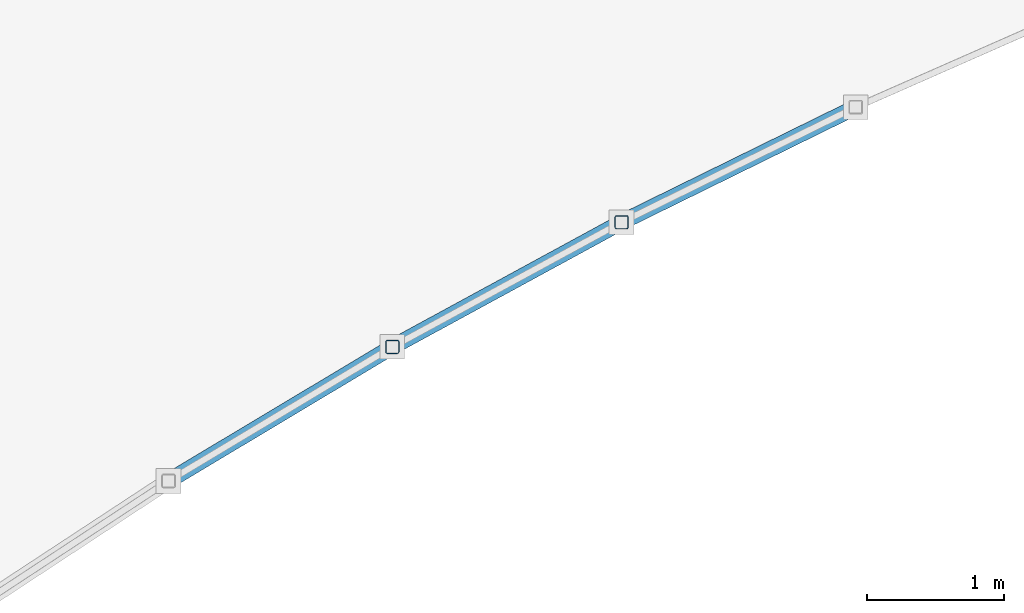
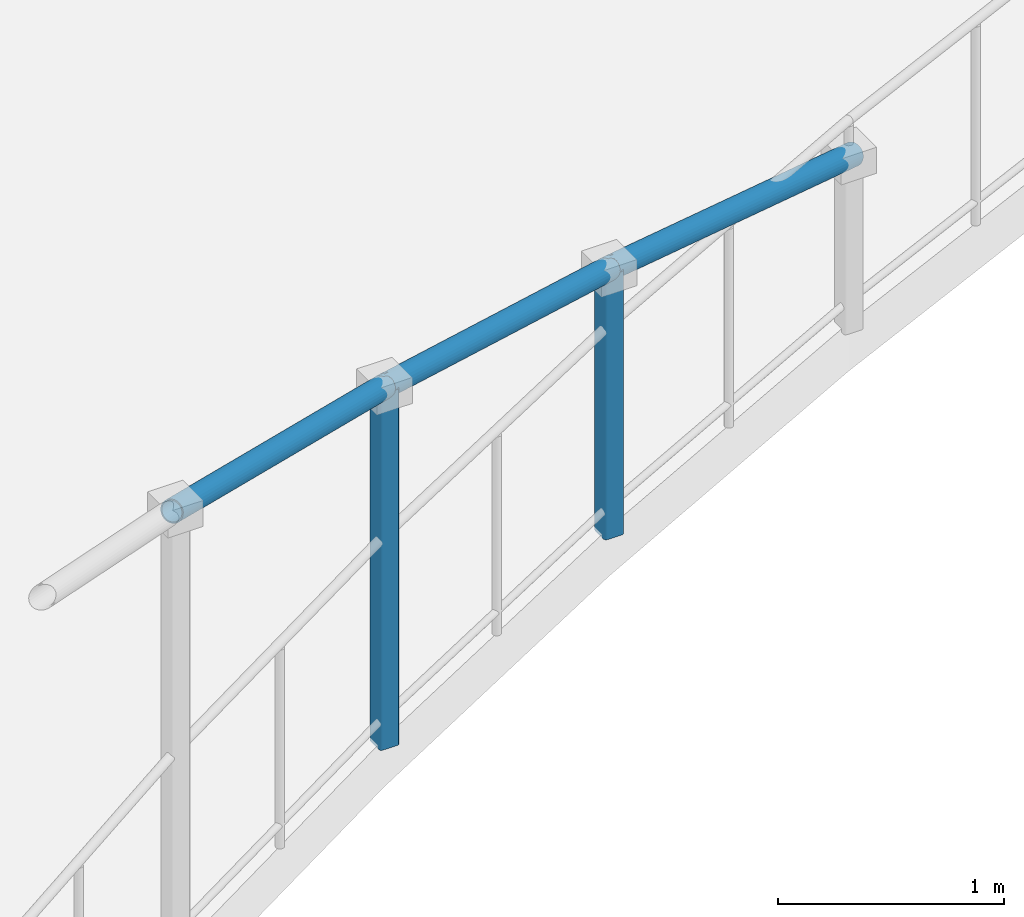
# One storey, part 14 of 58: 5 members.
"""IFC4 building model written with IfcOpenShell, lengths in metres."""

from ifc_helpers import new_model, si_unit, direction, frame, origin, origin_2d, place, context, subcontext, project, spatial, hollow_rectangle, hollow_circle, extrude, material, material_profile, profile_set, type_object, element, save


model = new_model("IFC4")

# Units and contexts
model_context = context("Model", 3, precision=1e-05, world=origin(), true_north=direction((0.0, 1.0)))
body_context = subcontext(model_context, "Body", "Model", "MODEL_VIEW")
ifc_project = project(units=[si_unit("LENGTHUNIT", "METRE"), si_unit("AREAUNIT", "SQUARE_METRE"), si_unit("VOLUMEUNIT", "CUBIC_METRE"), si_unit("PLANEANGLEUNIT", "RADIAN"), si_unit("MASSUNIT", "GRAM", prefix="KILO"), si_unit("POWERUNIT", "WATT"), si_unit("THERMODYNAMICTEMPERATUREUNIT", "KELVIN")], contexts=[model_context])

# Site, building, storey
site_placement = place(None, origin())
site = spatial("IfcSite", under=ifc_project, at=site_placement, CompositionType="ELEMENT")
building_placement = place(site_placement, origin())
building = spatial("IfcBuilding", under=site, at=building_placement, Name="Ruvembo Vaulted Housing Court", CompositionType="ELEMENT")
storey_placement = place(building_placement, frame((0.0, 0.0, 20.5)))
storey = spatial("IfcBuildingStorey", under=building, at=storey_placement, Name="L06", CompositionType="ELEMENT", Elevation=20.5)

# Members
ifc_material = material(Name="Steel S355J2", Category="steel")
ifc_material_profile_1 = material_profile(ifc_material, hollow_rectangle(XDim=0.10009765625, YDim=0.10009765625, WallThickness=0.00634765625, InnerFilletRadius=0.00634765625, OuterFilletRadius=0.0126953125, at=origin_2d()), Name="SHS 100x100x6.3")
ifc_profile_set_1 = profile_set([ifc_material_profile_1], Name="Steel S355J2")
member_type_1 = type_object("IfcMemberType", Name="MEM-FRM-SHS100", PredefinedType="STRUT", material=ifc_profile_set_1)
member_1_placement = place(storey_placement, frame((94.287353515625, 89.771484375, -0.02001953125), z_axis=(0.0, 0.0, 1.0), x_axis=(1.0, 0.0, 0.0)))
element("IfcMember", 1, at=member_1_placement, inside=storey, type_object=member_type_1, Name="Scoop SC3 L06 Upswept Post 2A", PredefinedType="STRUT", context=body_context, shape_type="SweptSolid", body=[
    extrude(hollow_rectangle(XDim=0.10009765625, YDim=0.10009765625, WallThickness=0.00634765625, InnerFilletRadius=0.00634765625, OuterFilletRadius=0.0126953125, at=origin_2d()), origin(), (0.0, 0.0, 1.0), 1.919921875),
])
member_2_placement = place(storey_placement, frame((95.95751953125, 90.6796875, -0.02001953125), z_axis=(0.0, 0.0, 1.0), x_axis=(1.0, 0.0, 0.0)))
element("IfcMember", 2, at=member_2_placement, inside=storey, type_object=member_type_1, Name="Scoop SC3 L06 Upswept Post 3A", PredefinedType="STRUT", context=body_context, shape_type="SweptSolid", body=[
    extrude(hollow_rectangle(XDim=0.10009765625, YDim=0.10009765625, WallThickness=0.00634765625, InnerFilletRadius=0.00634765625, OuterFilletRadius=0.0126953125, at=origin_2d()), origin(), (0.0, 0.0, 1.0), 1.419921875),
])
ifc_material_profile_2 = material_profile(ifc_material, hollow_circle(Radius=0.05712890625, WallThickness=0.00634765625, at=origin_2d()), Name="CHS 114.3x6.3")
ifc_profile_set_2 = profile_set([ifc_material_profile_2], Name="Steel S355J2")
member_type_2 = type_object("IfcMemberType", Name="MEM-STR-CHS114", PredefinedType="STRUT", material=ifc_profile_set_2)
for number, where, z_axis, x_axis, name in (
    (3, (92.6298828125, 88.77880859375, 2.408203125), (0.8296957079, 0.496879235914, -0.254393508583), (-0.513782265286, 0.857920616303, 0.0), "Scoop SC3 L06 Upswept Crest Tube 1"),
    (4, (94.26025390625, 89.756591796875, 1.908203125), (0.849545893872, 0.462120249789, -0.254394671604), (-0.477840985732, 0.878446351438, 0.0), "Scoop SC3 L06 Upswept Crest Tube 2"),
):
    element("IfcMember", number, at=place(storey_placement, frame(where, z_axis=z_axis, x_axis=x_axis)), inside=storey, type_object=member_type_2, Name=name, PredefinedType="STRUT", context=body_context, shape_type="SweptSolid", body=[
        extrude(hollow_circle(Radius=0.05712890625, WallThickness=0.00634765625, at=origin_2d()), origin(), (0.0, 0.0, 1.0), 2.02978515625),
    ])
member_3_placement = place(storey_placement, frame((95.9296875, 90.666259765625, 1.408203125), z_axis=(0.868051528671, 0.426326859425, -0.254424748218), x_axis=(-0.440833556892, 0.897588867532, 0.0)))
element("IfcMember", 5, at=member_3_placement, inside=storey, type_object=member_type_2, Name="Scoop SC3 L06 Upswept Crest Tube 3", PredefinedType="STRUT", context=body_context, shape_type="SweptSolid", body=[
    extrude(hollow_circle(Radius=0.05712890625, WallThickness=0.00634765625, at=origin_2d()), origin(), (0.0, 0.0, 1.0), 2.029541015625),
])

save(model, "model.ifc")
